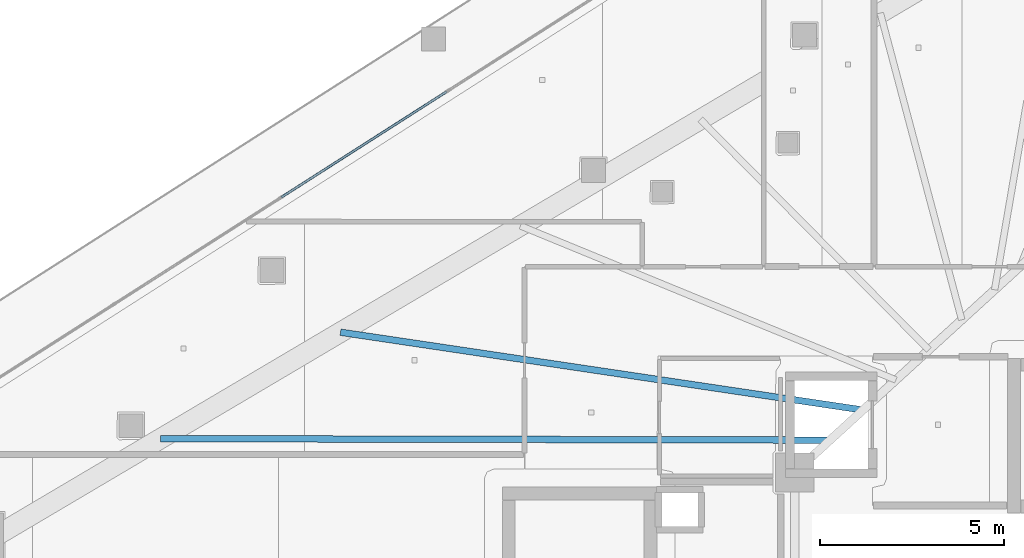
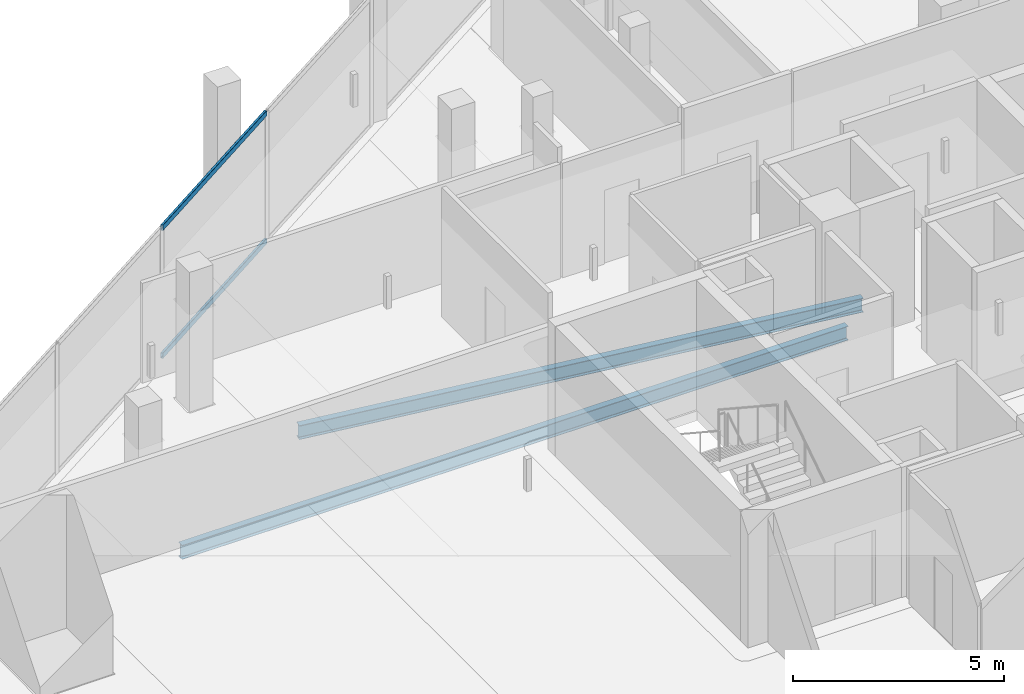
# One storey, part 15 of 44: 2 beams, 2 members, 1 element without a shape of its own.
"""IFC4 building model written with IfcOpenShell, lengths in metres."""

from ifc_helpers import new_model, si_unit, direction, frame, origin, origin_2d, place, context, subcontext, project, spatial, hollow_rectangle, i_section, extrude, material, layer, layer_set, material_profile, profile_set, type_object, element, aggregate, save


model = new_model("IFC4")

# Units and contexts
model_context = context("Model", 3, precision=1e-05, world=origin(), true_north=direction((0.0, 1.0)))
body_context = subcontext(model_context, "Body", "Model", "MODEL_VIEW")
ifc_project = project(units=[si_unit("LENGTHUNIT", "METRE"), si_unit("AREAUNIT", "SQUARE_METRE"), si_unit("VOLUMEUNIT", "CUBIC_METRE"), si_unit("PLANEANGLEUNIT", "RADIAN"), si_unit("MASSUNIT", "GRAM", prefix="KILO")], contexts=[model_context])

# Site, building, storey
site_placement = place(None, origin())
site = spatial("IfcSite", under=ifc_project, at=site_placement, CompositionType="ELEMENT")
building_placement = place(site_placement, origin())
building = spatial("IfcBuilding", under=site, at=building_placement, Name="Qorvath Tower", CompositionType="ELEMENT")
storey_placement = place(building_placement, frame((0.0, 0.0, 113.85009765625)))
storey = spatial("IfcBuildingStorey", under=building, at=storey_placement, Name="L25", CompositionType="ELEMENT", Elevation=113.85009765625)

# Beams
ifc_material_1 = material(Name="Steel ASTM A992 Grade 50", Category="steel")
ifc_material_profile_1 = material_profile(ifc_material_1, i_section(OverallWidth=0.177978515625, OverallDepth=0.406005859375, WebThickness=0.0078125, FlangeThickness=0.0126953125, FilletRadius=0.010986328125, at=origin_2d()), Name="W16x40")
ifc_profile_set_1 = profile_set([ifc_material_profile_1], Name="Steel ASTM A992 Grade 50")
beam_type = type_object("IfcBeamType", Name="BM-FJ3", PredefinedType="JOIST", material=ifc_profile_set_1)
beam_1_placement = place(storey_placement, frame((-29.533935546875, 6.031982421875, -0.48291015625), z_axis=(-0.999997589883, 0.002195501951, 0.0), x_axis=(-0.002195501951, -0.999997589883, 0.0)))
element("IfcBeam", 1, at=beam_1_placement, inside=storey, type_object=beam_type, Name="Composite Floor Joist NW1 L25", PredefinedType="JOIST", context=body_context, shape_type="SweptSolid", body=[
    extrude(i_section(OverallWidth=0.177978515625, OverallDepth=0.406005859375, WebThickness=0.0078125, FlangeThickness=0.0126953125, FilletRadius=0.010986328125, at=origin_2d()), origin(), (0.0, 0.0, 1.0), 18.23681640625),
])
beam_2_placement = place(storey_placement, frame((-28.636962890625, 6.85107421875, -0.48291015625), z_axis=(-0.989092860328, 0.147293291256, 0.0), x_axis=(-0.147293291256, -0.989092860328, 0.0)))
element("IfcBeam", 2, at=beam_2_placement, inside=storey, type_object=beam_type, Name="Composite Floor Joist NW2 L25", PredefinedType="JOIST", context=body_context, shape_type="SweptSolid", body=[
    extrude(i_section(OverallWidth=0.177978515625, OverallDepth=0.406005859375, WebThickness=0.0078125, FlangeThickness=0.0126953125, FilletRadius=0.010986328125, at=origin_2d()), origin(), (0.0, 0.0, 1.0), 14.388916015625),
])

# Curtain wall, members
ifc_material_2 = material(Name="Anodised aluminium and triple low-E glass", Category="aluminium")
ifc_layer = layer(ifc_material_2, 0.179931640625)
ifc_layer_set = layer_set([ifc_layer], Name="CW-SYS-2")
curtain_wall_type = type_object("IfcCurtainWallType", Name="CW-SYS-2", PredefinedType="NOTDEFINED", material=ifc_layer_set)
curtain_wall_placement = place(storey_placement, origin())
curtain_wall = element("IfcCurtainWall", 3, at=curtain_wall_placement, inside=storey, type_object=curtain_wall_type, Name="Curtain Wall CW-2 CW-T-L25-16.3", PredefinedType="NOTDEFINED")
ifc_material_3 = material(Name="Anodised aluminium 6063-T6", Category="aluminium")
ifc_material_profile_2 = material_profile(ifc_material_3, hollow_rectangle(XDim=0.06494140625, YDim=0.159912109375, WallThickness=0.00341796875, InnerFilletRadius=0.00341796875, OuterFilletRadius=0.007080078125, at=origin_2d()), Name="CWT 160x65")
ifc_profile_set_2 = profile_set([ifc_material_profile_2], Name="Anodised aluminium 6063-T6")
member_type = type_object("IfcMemberType", Name="CWT-160", PredefinedType="USERDEFINED", material=ifc_profile_set_2)
member_1_placement = place(storey_placement, frame((-39.97509765625, 15.52685546875, 0.032470703125), z_axis=(-0.842599583756, -0.538540566211, 0.0), x_axis=(0.538540566211, -0.842599583756, 0.0)))
member_1 = element("IfcMember", 4, at=member_1_placement, type_object=member_type, Name="CW-2 transom 2.1", ObjectType="TRANSOM", PredefinedType="USERDEFINED", context=body_context, shape_type="SweptSolid", body=[
    extrude(hollow_rectangle(XDim=0.06494140625, YDim=0.159912109375, WallThickness=0.00341796875, InnerFilletRadius=0.00341796875, OuterFilletRadius=0.007080078125, at=origin_2d()), origin(), (0.0, 0.0, 1.0), 5.34765625),
])
member_2_placement = place(storey_placement, frame((-39.97509765625, 15.52685546875, 3.737548828125), z_axis=(-0.842599583756, -0.538540566211, 0.0), x_axis=(0.538540566211, -0.842599583756, 0.0)))
member_2 = element("IfcMember", 5, at=member_2_placement, type_object=member_type, Name="CW-2 transom 2.2", ObjectType="TRANSOM", PredefinedType="USERDEFINED", context=body_context, shape_type="SweptSolid", body=[
    extrude(hollow_rectangle(XDim=0.06494140625, YDim=0.159912109375, WallThickness=0.00341796875, InnerFilletRadius=0.00341796875, OuterFilletRadius=0.007080078125, at=origin_2d()), origin(), (0.0, 0.0, 1.0), 5.34765625),
])
aggregate(curtain_wall, [member_1, member_2])

save(model, "model.ifc")
